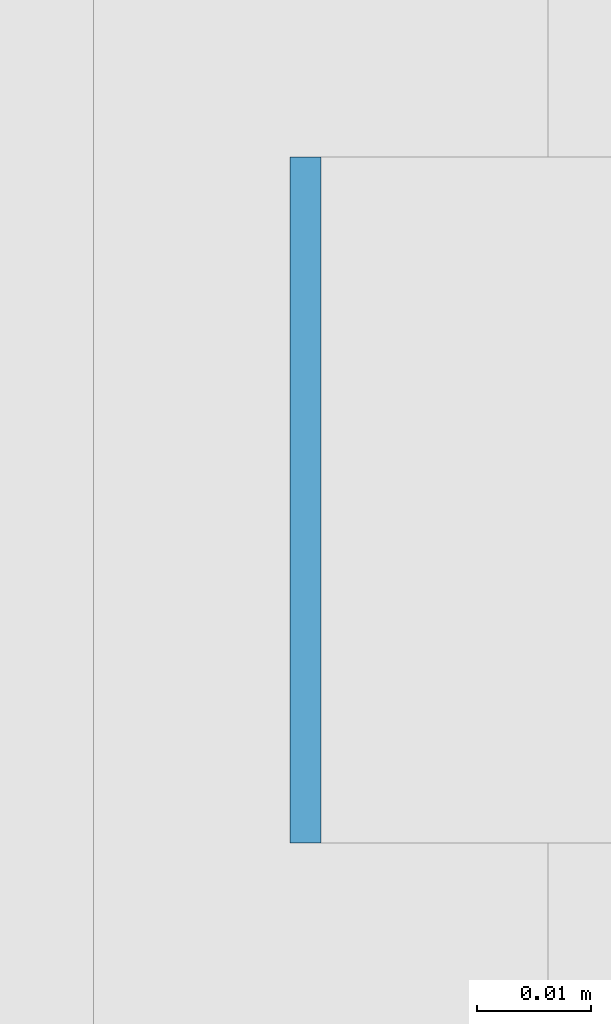
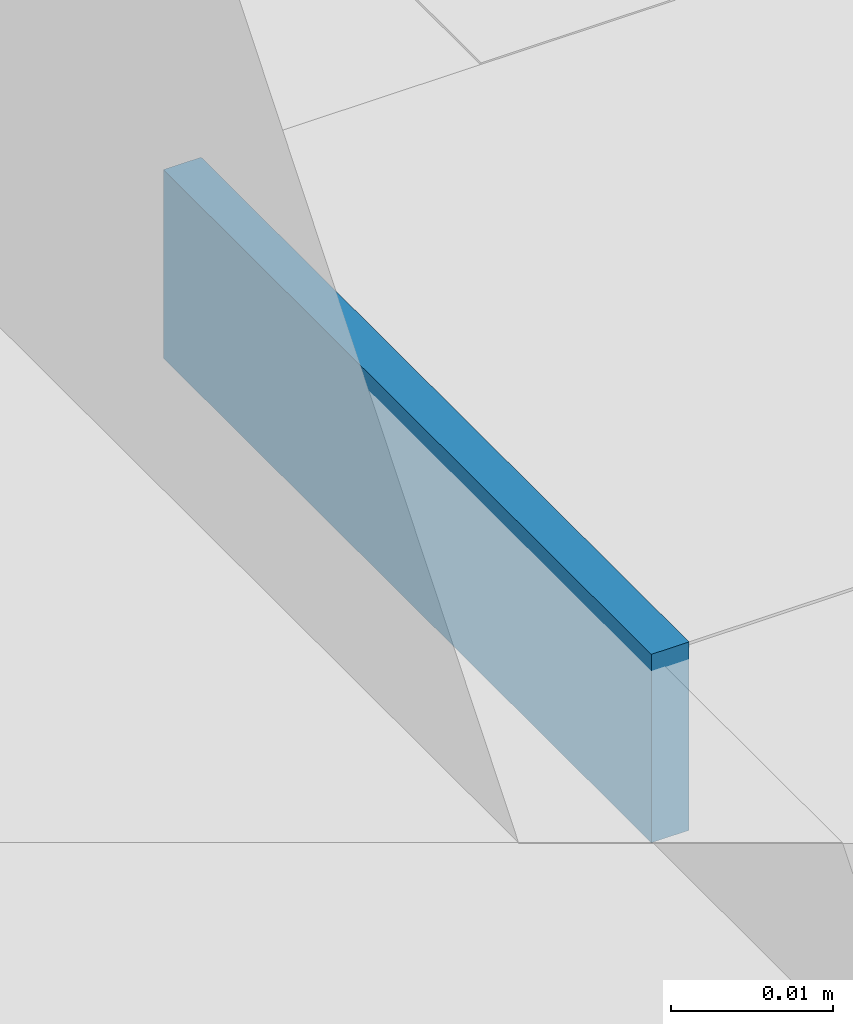
# One storey, part 569 of 646: 1 discrete accessory.
"""IFC4 building model written with IfcOpenShell, lengths in metres."""

import ifcopenshell
import ifcopenshell.guid

model = None  # the IFC model being written
_history = None  # IfcOwnerHistory: only IFC2X3 demands one
_inside = {}  # id of a spatial element -> (the spatial element, [elements in it])
_under = {}  # id of a project, library or spatial element -> (it, [spatial elements below it])
_declared = {}  # id of a project -> (the project, [libraries it declares])
_typed = {}  # id of a type object -> (the type object, [elements of that type])
_made_of = {}  # id of a material, layer set ... -> (it, [elements and type objects made of it])


def new_model(schema):
    """Start an empty IFC model of exactly this schema.

    Asked for "IFC4X3", IfcOpenShell would pick the latest addendum, in which some entities
    have other attributes; the version numbers below select the first issue.
    IFC2X3 requires an IfcOwnerHistory on every rooted entity: one is made here for all.
    """
    global model, _history
    if schema == "IFC4X3":
        model = ifcopenshell.file(schema_version=(4, 3, 0, 0))
    else:
        model = ifcopenshell.file(schema=schema)
    _inside.clear()
    _under.clear()
    _declared.clear()
    _typed.clear()
    _made_of.clear()
    _history = None
    if model.schema == "IFC2X3":
        org = make("IfcOrganization", Name="unknown")
        user = make(
            "IfcPersonAndOrganization",
            ThePerson=make("IfcPerson", FamilyName="unknown"),
            TheOrganization=org,
        )
        app = make(
            "IfcApplication",
            ApplicationDeveloper=org,
            Version="unknown",
            ApplicationFullName="unknown",
            ApplicationIdentifier="unknown",
        )
        _history = make(
            "IfcOwnerHistory",
            OwningUser=user,
            OwningApplication=app,
            ChangeAction="ADDED",
            CreationDate=0,
        )
    return model


def make(cls, **values):
    """One entity of the class cls with the attributes given. An attribute that is None is left unset."""
    return model.create_entity(
        cls, **{name: value for name, value in values.items() if value is not None}
    )


def rooted(cls, **values):
    """An entity with a GlobalId (a new one), such as an element, a storey or a relation."""
    return make(cls, GlobalId=ifcopenshell.guid.new(), OwnerHistory=_history, **values)


def si_unit(unit_type, name, prefix=None):
    """IfcSIUnit, for example si_unit("LENGTHUNIT", "METRE", prefix="MILLI")."""
    return make("IfcSIUnit", UnitType=unit_type, Prefix=prefix, Name=name)


def assignment(units):
    """IfcUnitAssignment: the units of a project."""
    return None if units is None else make("IfcUnitAssignment", Units=units)


def point(xyz):
    """IfcCartesianPoint."""
    return None if xyz is None else make("IfcCartesianPoint", Coordinates=xyz)


def direction(xyz):
    """IfcDirection."""
    return None if xyz is None else make("IfcDirection", DirectionRatios=xyz)


def frame(location, z_axis=None, x_axis=None):
    """IfcAxis2Placement3D, a coordinate frame: its origin and axes. An axis left out is left unset."""
    return make(
        "IfcAxis2Placement3D",
        Location=point(location),
        Axis=direction(z_axis),
        RefDirection=direction(x_axis),
    )


def frame_2d(location, x_axis=None):
    """IfcAxis2Placement2D, a coordinate frame in the plane: its origin and x axis."""
    return make(
        "IfcAxis2Placement2D", Location=point(location), RefDirection=direction(x_axis)
    )


def origin():
    """The frame at (0, 0, 0) with its axes left unset."""
    return frame((0.0, 0.0, 0.0))


def origin_2d():
    """The frame at (0, 0) in the plane with its x axis left unset."""
    return frame_2d((0.0, 0.0))


def place(relative_to, where):
    """IfcLocalPlacement: puts the frame where relative to a parent placement (None: the world)."""
    return make(
        "IfcLocalPlacement", PlacementRelTo=relative_to, RelativePlacement=where
    )


def context(
    kind, dimensions, precision=None, world=None, true_north=None, identifier=None
):
    """IfcGeometricRepresentationContext, for example the 3D "Model" context."""
    return make(
        "IfcGeometricRepresentationContext",
        ContextIdentifier=identifier,
        ContextType=kind,
        CoordinateSpaceDimension=dimensions,
        Precision=precision,
        WorldCoordinateSystem=world,
        TrueNorth=true_north,
    )


def subcontext(parent, identifier, kind, view, scale=None):
    """IfcGeometricRepresentationSubContext, for example "Body" below "Model"."""
    return make(
        "IfcGeometricRepresentationSubContext",
        ContextIdentifier=identifier,
        ContextType=kind,
        ParentContext=parent,
        TargetScale=scale,
        TargetView=view,
    )


def project(units=None, contexts=None):
    """IfcProject with its units and contexts."""
    return rooted(
        "IfcProject",
        Name="project",
        RepresentationContexts=contexts,
        UnitsInContext=assignment(units),
    )


def spatial(cls, under=None, at=None, **own):
    """A site, building, storey or space (cls), placed at a placement, below another one or the project."""
    s = rooted(cls, ObjectPlacement=at, **own)
    if under is not None:
        _under.setdefault(under.id(), (under, []))[1].append(s)
    return s


def profile(cls, at=None, kind="AREA", **sizes):
    """A parametric profile (cls). Its sizes go by their IFC names, for example OverallWidth=200.0."""
    return make(cls, ProfileType=kind, Position=at, **sizes)


def rectangle(**sizes):
    """IfcRectangleProfileDef."""
    return profile("IfcRectangleProfileDef", **sizes)


def extrude(swept, where, along, depth):
    """IfcExtrudedAreaSolid: the profile swept, set in the frame where, extruded along a direction by depth."""
    return make(
        "IfcExtrudedAreaSolid",
        SweptArea=swept,
        Position=where,
        ExtrudedDirection=direction(along),
        Depth=depth,
    )


def shape(context_of_items, identifier, shape_type, items):
    """IfcShapeRepresentation: the items that make up one representation, for example the "Body"."""
    return make(
        "IfcShapeRepresentation",
        ContextOfItems=context_of_items,
        RepresentationIdentifier=identifier,
        RepresentationType=shape_type,
        Items=items,
    )


def material(Name=None, Category=None):
    """IfcMaterial."""
    return make("IfcMaterial", Name=Name, Category=Category)


def made_of(thing, what):
    """Note that an element or type object is made of a material, layer set ...; save() writes the relation."""
    if what is not None:
        _made_of.setdefault(what.id(), (what, []))[1].append(thing)
    return thing


def type_object(cls, material=None, **own):
    """A type object (cls), such as IfcWallType, which elements share."""
    return made_of(rooted(cls, **own), material)


def element(
    cls,
    number,
    at=None,
    inside=None,
    cuts=None,
    type_object=None,
    material=None,
    context=None,
    identifier="Body",
    shape_type=None,
    held_by="IfcProductDefinitionShape",
    body=None,
    shapes=None,
    **own,
):
    """One element of the class cls, such as IfcWall. Its Tag is "e" and its number.

    at: its placement. inside: the storey or other place that contains it. cuts: it is an
    opening in that element (IfcRelVoidsElement). A single representation is given by context,
    identifier, shape_type and body (its items); several are given by shapes. held_by: the class
    of the entity that holds the representations. save() writes the other relations.
    """
    e = rooted(cls, Tag="e%d" % number, ObjectPlacement=at, **own)
    if body is not None:
        shapes = [shape(context, identifier, shape_type, body)]
    if shapes is not None:
        e.Representation = make(held_by, Representations=shapes)
    if inside is not None:
        _inside.setdefault(inside.id(), (inside, []))[1].append(e)
    if cuts is not None:
        rooted(
            "IfcRelVoidsElement", RelatingBuildingElement=cuts, RelatedOpeningElement=e
        )
    if type_object is not None:
        _typed.setdefault(type_object.id(), (type_object, []))[1].append(e)
    return made_of(e, material)


def aggregate(whole, parts):
    """IfcRelAggregates: a whole, such as a stair, and the parts it consists of."""
    return rooted("IfcRelAggregates", RelatingObject=whole, RelatedObjects=parts)


def save(model, path):
    """Write the relations noted so far, then the file.

    IfcRelAggregates (storeys below a building ...), IfcRelContainedInSpatialStructure (elements
    in a storey), IfcRelDefinesByType, IfcRelAssociatesMaterial and IfcRelDeclares: one each for
    every whole, place, type object, material and project.
    """
    for whole, parts in _under.values():
        aggregate(whole, parts)
    for where, things in _inside.values():
        rooted(
            "IfcRelContainedInSpatialStructure",
            RelatedElements=things,
            RelatingStructure=where,
        )
    for kind, things in _typed.values():
        rooted("IfcRelDefinesByType", RelatedObjects=things, RelatingType=kind)
    for what, things in _made_of.values():
        rooted("IfcRelAssociatesMaterial", RelatedObjects=things, RelatingMaterial=what)
    for by, libraries in _declared.values():
        rooted("IfcRelDeclares", RelatingContext=by, RelatedDefinitions=libraries)
    model.write(path)


model = new_model("IFC4")

# Units and contexts
model_context = context("Model", 3, precision=1e-05, world=origin(), true_north=direction((0.0, 1.0)))
body_context = subcontext(model_context, "Body", "Model", "MODEL_VIEW")
ifc_project = project(units=[si_unit("LENGTHUNIT", "METRE"), si_unit("AREAUNIT", "SQUARE_METRE"), si_unit("VOLUMEUNIT", "CUBIC_METRE"), si_unit("PLANEANGLEUNIT", "RADIAN"), si_unit("MASSUNIT", "GRAM", prefix="KILO")], contexts=[model_context])

# Site, building, storey
site_placement = place(None, origin())
site = spatial("IfcSite", under=ifc_project, at=site_placement, CompositionType="ELEMENT")
building_placement = place(site_placement, origin())
building = spatial("IfcBuilding", under=site, at=building_placement, Name="Silverbay Arena", CompositionType="ELEMENT")
storey_placement = place(building_placement, frame((0.0, 0.0, 33.5)))
storey = spatial("IfcBuildingStorey", under=building, at=storey_placement, Name="L05", CompositionType="ELEMENT", Elevation=33.5)

# Discrete accessory
ifc_material = material(Name="Steel S355", Category="steel")
discrete_accessory_type = type_object("IfcDiscreteAccessoryType", Name="Steel bracket plate", PredefinedType="BRACKET", material=ifc_material)
discrete_accessory_placement = place(storey_placement, frame((207.128662109375, 106.71435546875, 12.98583984375), z_axis=(0.0, 0.0, 1.0), x_axis=(1.0, 0.0, 0.0)))
element("IfcDiscreteAccessory", 1, at=discrete_accessory_placement, inside=storey, type_object=discrete_accessory_type, Name="Curtain wall packing plate", PredefinedType="BRACKET", context=body_context, shape_type="SweptSolid", body=[
    extrude(rectangle(XDim=0.002685546875, YDim=0.06005859375, at=origin_2d()), origin(), (0.0, 0.0, 1.0), 0.01416015625),
])

save(model, "model.ifc")
